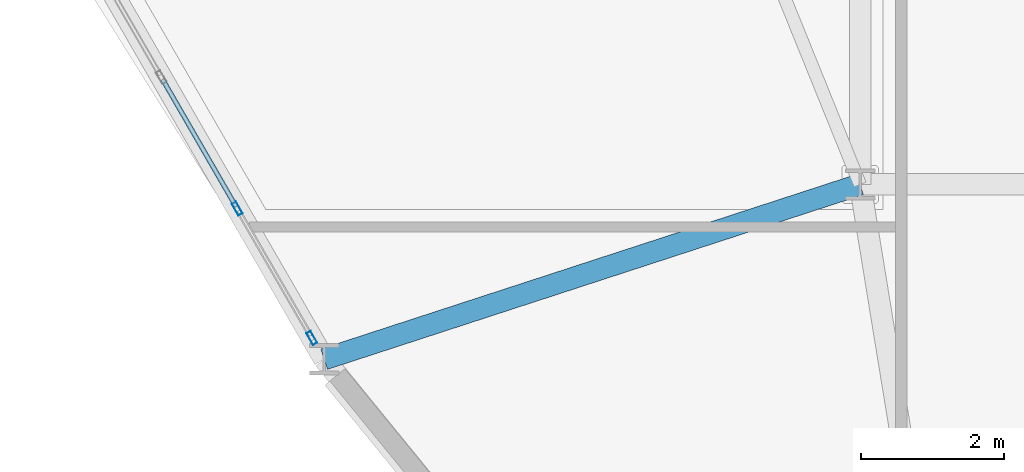
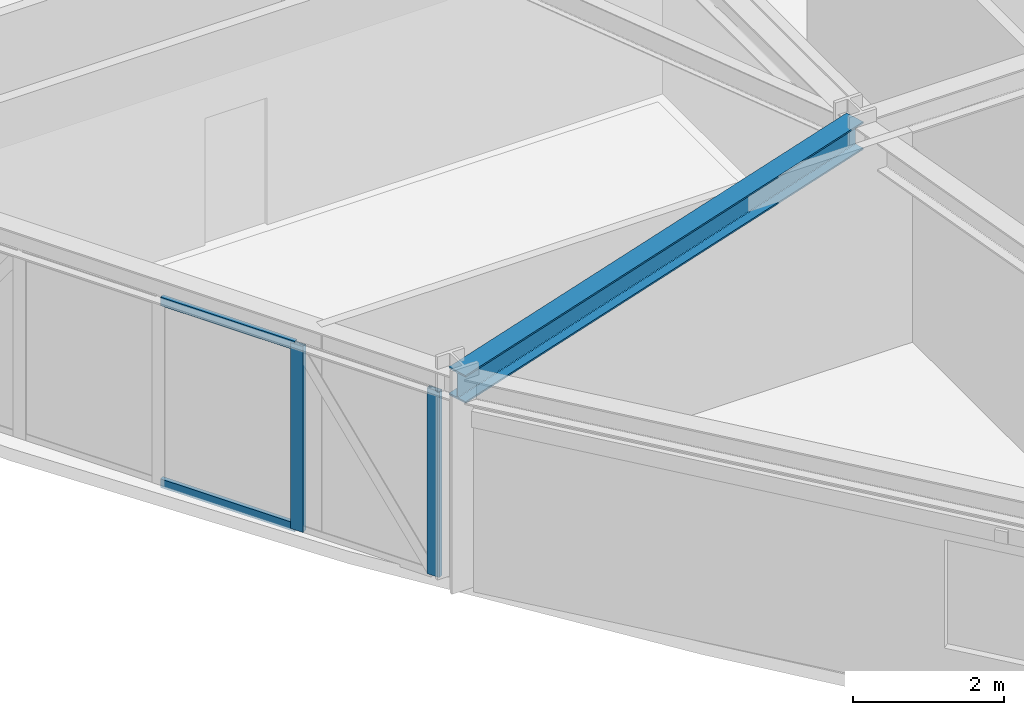
# One storey, part 2 of 18: 4 members, 1 beam, 1 element without a shape of its own.
"""IFC4 building model written with IfcOpenShell, lengths in metres."""

from ifc_helpers import new_model, si_unit, derived_unit, direction, frame, origin, origin_2d, place, context, subcontext, project, spatial, hollow_rectangle, i_section, extrude, source, transform, mapped, material, layer, layer_set, material_profile, profile_set, type_object, element, aggregate, save


model = new_model("IFC4")

# Units and contexts
model_context = context("Model", 3, precision=1e-05, world=origin(), true_north=direction((0.0, 1.0)))
body_context = subcontext(model_context, "Body", "Model", "MODEL_VIEW")
ifc_project = project(units=[si_unit("LENGTHUNIT", "METRE"), si_unit("AREAUNIT", "SQUARE_METRE"), si_unit("VOLUMEUNIT", "CUBIC_METRE"), si_unit("PLANEANGLEUNIT", "RADIAN"), si_unit("MASSUNIT", "GRAM", prefix="KILO"), derived_unit("THERMALTRANSMITTANCEUNIT", [(si_unit("POWERUNIT", "WATT"), 1), (si_unit("LENGTHUNIT", "METRE"), -2), (si_unit("THERMODYNAMICTEMPERATUREUNIT", "KELVIN"), -1)])], contexts=[model_context])

# Site, building, storey
site_placement = place(None, origin())
site = spatial("IfcSite", under=ifc_project, at=site_placement, CompositionType="ELEMENT")
building_placement = place(site_placement, origin())
building = spatial("IfcBuilding", under=site, at=building_placement, Name="Korsvarv Bourse and Concert Hall", CompositionType="ELEMENT")
storey_placement = place(building_placement, frame((0.0, 0.0, 136.199951171875)))
storey = spatial("IfcBuildingStorey", under=building, at=storey_placement, Name="L34", CompositionType="ELEMENT", Elevation=136.199951171875)

# Beam
ifc_material_1 = material(Name="Steel S355", Category="steel")
ifc_material_profile_1 = material_profile(ifc_material_1, i_section(OverallWidth=0.300048828125, OverallDepth=0.449951171875, WebThickness=0.013916015625, FlangeThickness=0.02587890625, FilletRadius=0.02099609375, at=origin_2d()), Name="HEB 450")
ifc_profile_set_1 = profile_set([ifc_material_profile_1], Name="Steel S355")
beam_type = type_object("IfcBeamType", Name="BM-HEB450", PredefinedType="SPANDREL", material=ifc_profile_set_1)
shared_shape_1 = source(origin(), body_context, "Body", "SweptSolid", [
    extrude(i_section(OverallWidth=0.300048828125, OverallDepth=0.449951171875, WebThickness=0.013916015625, FlangeThickness=0.02587890625, FilletRadius=0.02099609375, at=origin_2d()), origin(), (0.0, 0.0, 1.0), 7.8701171875),
])
beam_placement = place(storey_placement, frame((20.11767578125, 21.560546875, 3.175048828125), z_axis=(0.950747329808, 0.309966957695, 0.0), x_axis=(-0.309966957695, 0.950747329808, 0.0)))
element("IfcBeam", 1, at=beam_placement, inside=storey, type_object=beam_type, Name="L34 beam B-08", PredefinedType="SPANDREL", context=body_context, shape_type="MappedRepresentation", body=[
    mapped(shared_shape_1, transform((0.0, 0.0, 0.0), scale=1.0)),
])

# Curtain wall, members
ifc_material_2 = material(Name="Anodised aluminium and triple low-E glazing", Category="glass")
ifc_layer = layer(ifc_material_2, 0.2099609375)
ifc_layer_set = layer_set([ifc_layer], Name="Anodised aluminium and triple low-E glazing")
curtain_wall_type = type_object("IfcCurtainWallType", Name="CW-SYS-2", PredefinedType="NOTDEFINED", material=ifc_layer_set)
curtain_wall_placement = place(storey_placement, origin())
curtain_wall = element("IfcCurtainWall", 2, at=curtain_wall_placement, inside=storey, type_object=curtain_wall_type, Name="L34 CW2 curtain wall CW-L34-F07", PredefinedType="NOTDEFINED")
ifc_material_3 = material(Name="Extruded aluminium EN AW-6063 T66", Category="aluminium")
ifc_material_profile_2 = material_profile(ifc_material_3, hollow_rectangle(XDim=0.070068359375, YDim=0.18994140625, WallThickness=0.0048828125, at=origin_2d()), Name="ALU-M 70x190")
ifc_profile_set_2 = profile_set([ifc_material_profile_2], Name="Extruded aluminium EN AW-6063 T66")
member_type_1 = type_object("IfcMemberType", Name="CWM-190", PredefinedType="MULLION", material=ifc_profile_set_2)
shared_shape_2 = source(origin(), body_context, "Body", "SweptSolid", [
    extrude(hollow_rectangle(XDim=0.070068359375, YDim=0.18994140625, WallThickness=0.0048828125, at=origin_2d()), origin(), (0.0, 0.0, 1.0), 3.0),
])
member_1_placement = place(storey_placement, frame((18.904052734375, 23.66259765625, 0.0), z_axis=(0.0, 0.0, 1.0), x_axis=(0.866025213439, 0.500000329688, 0.0)))
member_1 = element("IfcMember", 3, at=member_1_placement, type_object=member_type_1, Name="CW2 mullion 6", PredefinedType="MULLION", context=body_context, shape_type="MappedRepresentation", body=[
    mapped(shared_shape_2, transform((0.0, 0.0, 0.0), scale=1.0)),
])
member_2_placement = place(storey_placement, frame((19.94580078125, 21.8583984375, 0.0), z_axis=(0.0, 0.0, 1.0), x_axis=(0.866025213439, 0.500000329688, 0.0)))
member_2 = element("IfcMember", 4, at=member_2_placement, type_object=member_type_1, Name="CW2 mullion 7", PredefinedType="MULLION", context=body_context, shape_type="MappedRepresentation", body=[
    mapped(shared_shape_2, transform((0.0, 0.0, 0.0), scale=1.0)),
])
ifc_material_profile_3 = material_profile(ifc_material_3, hollow_rectangle(XDim=0.06494140625, YDim=0.139892578125, WallThickness=0.00390625, at=origin_2d()), Name="ALU-T 65x140")
ifc_profile_set_3 = profile_set([ifc_material_profile_3], Name="Extruded aluminium EN AW-6063 T66")
member_type_2 = type_object("IfcMemberType", Name="CWT-140", PredefinedType="USERDEFINED", material=ifc_profile_set_3)
shared_shape_3 = source(origin(), body_context, "Body", "SweptSolid", [
    extrude(hollow_rectangle(XDim=0.06494140625, YDim=0.139892578125, WallThickness=0.00390625, at=origin_2d()), origin(), (0.0, 0.0, 1.0), 2.04833984375),
])
member_3_placement = place(storey_placement, frame((17.8623046875, 25.466796875, 0.032470703125), z_axis=(0.499997581422, -0.866026800146, 0.0), x_axis=(0.866026800146, 0.499997581422, 0.0)))
member_3 = element("IfcMember", 5, at=member_3_placement, type_object=member_type_2, Name="CW2 transom 5.1", ObjectType="TRANSOM", PredefinedType="USERDEFINED", context=body_context, shape_type="MappedRepresentation", body=[
    mapped(shared_shape_3, transform((0.0, 0.0, 0.0), scale=1.0)),
])
member_4_placement = place(storey_placement, frame((17.8623046875, 25.466796875, 2.967529296875), z_axis=(0.499997581422, -0.866026800146, 0.0), x_axis=(0.866026800146, 0.499997581422, 0.0)))
member_4 = element("IfcMember", 6, at=member_4_placement, type_object=member_type_2, Name="CW2 transom 5.2", ObjectType="TRANSOM", PredefinedType="USERDEFINED", context=body_context, shape_type="MappedRepresentation", body=[
    mapped(shared_shape_3, transform((0.0, 0.0, 0.0), scale=1.0)),
])
aggregate(curtain_wall, [member_1, member_2, member_3, member_4])

save(model, "model.ifc")
